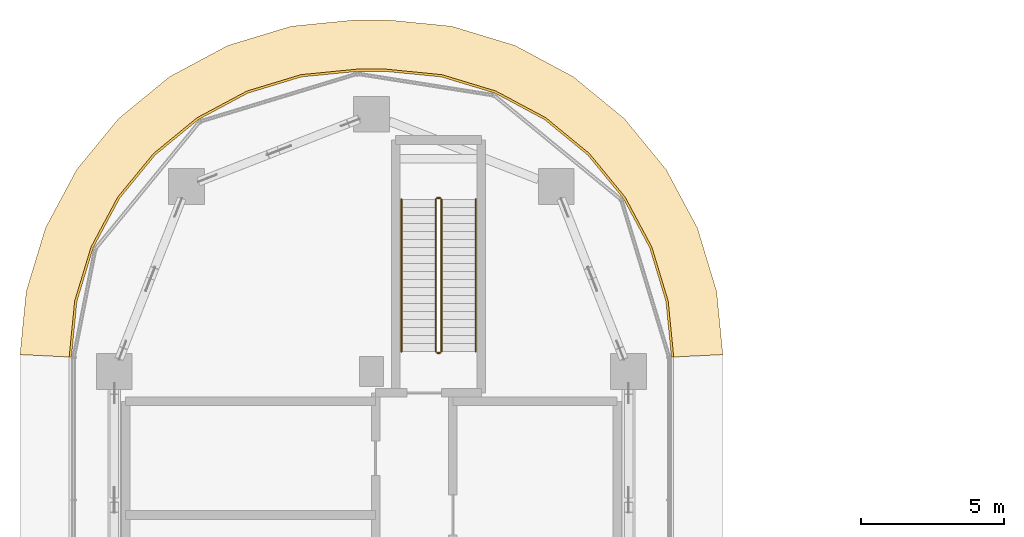
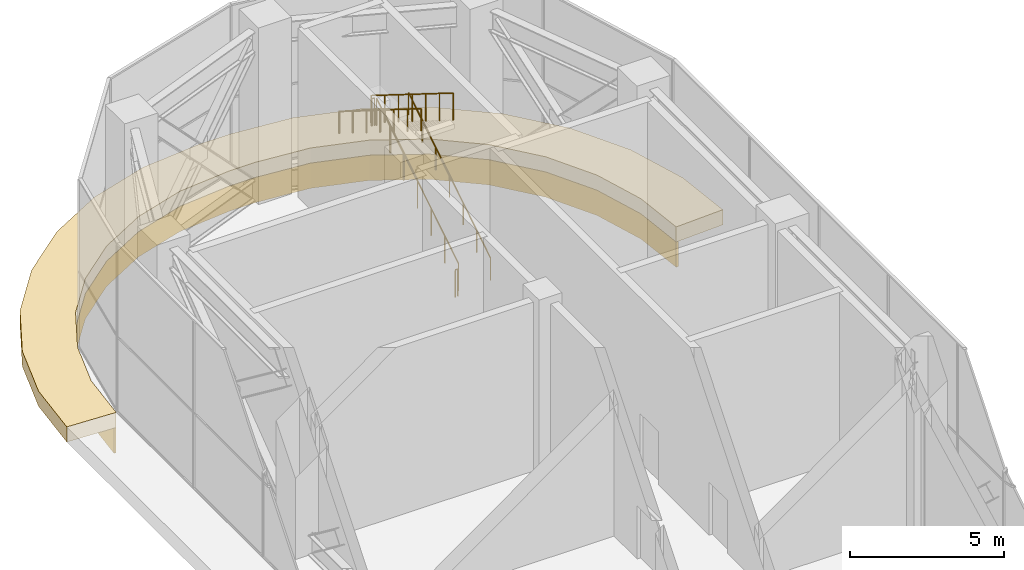
# One storey, part 33 of 35: 6 railings, 2 coverings.
"""IFC4 building model written with IfcOpenShell, lengths in metres."""

import ifcopenshell
import ifcopenshell.guid

model = None  # the IFC model being written
_history = None  # IfcOwnerHistory: only IFC2X3 demands one
_inside = {}  # id of a spatial element -> (the spatial element, [elements in it])
_under = {}  # id of a project, library or spatial element -> (it, [spatial elements below it])
_declared = {}  # id of a project -> (the project, [libraries it declares])
_typed = {}  # id of a type object -> (the type object, [elements of that type])
_made_of = {}  # id of a material, layer set ... -> (it, [elements and type objects made of it])


def new_model(schema):
    """Start an empty IFC model of exactly this schema.

    Asked for "IFC4X3", IfcOpenShell would pick the latest addendum, in which some entities
    have other attributes; the version numbers below select the first issue.
    IFC2X3 requires an IfcOwnerHistory on every rooted entity: one is made here for all.
    """
    global model, _history
    if schema == "IFC4X3":
        model = ifcopenshell.file(schema_version=(4, 3, 0, 0))
    else:
        model = ifcopenshell.file(schema=schema)
    _inside.clear()
    _under.clear()
    _declared.clear()
    _typed.clear()
    _made_of.clear()
    _history = None
    if model.schema == "IFC2X3":
        org = make("IfcOrganization", Name="unknown")
        user = make(
            "IfcPersonAndOrganization",
            ThePerson=make("IfcPerson", FamilyName="unknown"),
            TheOrganization=org,
        )
        app = make(
            "IfcApplication",
            ApplicationDeveloper=org,
            Version="unknown",
            ApplicationFullName="unknown",
            ApplicationIdentifier="unknown",
        )
        _history = make(
            "IfcOwnerHistory",
            OwningUser=user,
            OwningApplication=app,
            ChangeAction="ADDED",
            CreationDate=0,
        )
    return model


def make(cls, **values):
    """One entity of the class cls with the attributes given. An attribute that is None is left unset."""
    return model.create_entity(
        cls, **{name: value for name, value in values.items() if value is not None}
    )


def rooted(cls, **values):
    """An entity with a GlobalId (a new one), such as an element, a storey or a relation."""
    return make(cls, GlobalId=ifcopenshell.guid.new(), OwnerHistory=_history, **values)


def si_unit(unit_type, name, prefix=None):
    """IfcSIUnit, for example si_unit("LENGTHUNIT", "METRE", prefix="MILLI")."""
    return make("IfcSIUnit", UnitType=unit_type, Prefix=prefix, Name=name)


def assignment(units):
    """IfcUnitAssignment: the units of a project."""
    return None if units is None else make("IfcUnitAssignment", Units=units)


def point(xyz):
    """IfcCartesianPoint."""
    return None if xyz is None else make("IfcCartesianPoint", Coordinates=xyz)


def direction(xyz):
    """IfcDirection."""
    return None if xyz is None else make("IfcDirection", DirectionRatios=xyz)


def frame(location, z_axis=None, x_axis=None):
    """IfcAxis2Placement3D, a coordinate frame: its origin and axes. An axis left out is left unset."""
    return make(
        "IfcAxis2Placement3D",
        Location=point(location),
        Axis=direction(z_axis),
        RefDirection=direction(x_axis),
    )


def frame_2d(location, x_axis=None):
    """IfcAxis2Placement2D, a coordinate frame in the plane: its origin and x axis."""
    return make(
        "IfcAxis2Placement2D", Location=point(location), RefDirection=direction(x_axis)
    )


def origin():
    """The frame at (0, 0, 0) with its axes left unset."""
    return frame((0.0, 0.0, 0.0))


def origin_2d():
    """The frame at (0, 0) in the plane with its x axis left unset."""
    return frame_2d((0.0, 0.0))


def place(relative_to, where):
    """IfcLocalPlacement: puts the frame where relative to a parent placement (None: the world)."""
    return make(
        "IfcLocalPlacement", PlacementRelTo=relative_to, RelativePlacement=where
    )


def context(
    kind, dimensions, precision=None, world=None, true_north=None, identifier=None
):
    """IfcGeometricRepresentationContext, for example the 3D "Model" context."""
    return make(
        "IfcGeometricRepresentationContext",
        ContextIdentifier=identifier,
        ContextType=kind,
        CoordinateSpaceDimension=dimensions,
        Precision=precision,
        WorldCoordinateSystem=world,
        TrueNorth=true_north,
    )


def subcontext(parent, identifier, kind, view, scale=None):
    """IfcGeometricRepresentationSubContext, for example "Body" below "Model"."""
    return make(
        "IfcGeometricRepresentationSubContext",
        ContextIdentifier=identifier,
        ContextType=kind,
        ParentContext=parent,
        TargetScale=scale,
        TargetView=view,
    )


def project(units=None, contexts=None):
    """IfcProject with its units and contexts."""
    return rooted(
        "IfcProject",
        Name="project",
        RepresentationContexts=contexts,
        UnitsInContext=assignment(units),
    )


def spatial(cls, under=None, at=None, **own):
    """A site, building, storey or space (cls), placed at a placement, below another one or the project."""
    s = rooted(cls, ObjectPlacement=at, **own)
    if under is not None:
        _under.setdefault(under.id(), (under, []))[1].append(s)
    return s


def polyline(points):
    """IfcPolyline through the points."""
    return make("IfcPolyline", Points=[point(p) for p in points])


def profile(cls, at=None, kind="AREA", **sizes):
    """A parametric profile (cls). Its sizes go by their IFC names, for example OverallWidth=200.0."""
    return make(cls, ProfileType=kind, Position=at, **sizes)


def circle(**sizes):
    """IfcCircleProfileDef."""
    return profile("IfcCircleProfileDef", **sizes)


def outline(outer, holes=None, kind="AREA"):
    """IfcArbitraryClosedProfileDef: a profile drawn as a closed curve; with holes, ...WithVoids."""
    if holes is None:
        return make("IfcArbitraryClosedProfileDef", ProfileType=kind, OuterCurve=outer)
    return make(
        "IfcArbitraryProfileDefWithVoids",
        ProfileType=kind,
        OuterCurve=outer,
        InnerCurves=holes,
    )


def extrude(swept, where, along, depth):
    """IfcExtrudedAreaSolid: the profile swept, set in the frame where, extruded along a direction by depth."""
    return make(
        "IfcExtrudedAreaSolid",
        SweptArea=swept,
        Position=where,
        ExtrudedDirection=direction(along),
        Depth=depth,
    )


def shape(context_of_items, identifier, shape_type, items):
    """IfcShapeRepresentation: the items that make up one representation, for example the "Body"."""
    return make(
        "IfcShapeRepresentation",
        ContextOfItems=context_of_items,
        RepresentationIdentifier=identifier,
        RepresentationType=shape_type,
        Items=items,
    )


def material(Name=None, Category=None):
    """IfcMaterial."""
    return make("IfcMaterial", Name=Name, Category=Category)


def layer(
    of_material, thickness, ventilated=None, Name=None, Category=None, Priority=None
):
    """IfcMaterialLayer: one layer of a wall or slab, of a material (None: an air gap)."""
    return make(
        "IfcMaterialLayer",
        Material=of_material,
        LayerThickness=thickness,
        IsVentilated=ventilated,
        Name=Name,
        Category=Category,
        Priority=Priority,
    )


def layer_set(layers, Name=None):
    """IfcMaterialLayerSet."""
    return make("IfcMaterialLayerSet", MaterialLayers=layers, LayerSetName=Name)


def made_of(thing, what):
    """Note that an element or type object is made of a material, layer set ...; save() writes the relation."""
    if what is not None:
        _made_of.setdefault(what.id(), (what, []))[1].append(thing)
    return thing


def type_object(cls, material=None, **own):
    """A type object (cls), such as IfcWallType, which elements share."""
    return made_of(rooted(cls, **own), material)


def element(
    cls,
    number,
    at=None,
    inside=None,
    cuts=None,
    type_object=None,
    material=None,
    context=None,
    identifier="Body",
    shape_type=None,
    held_by="IfcProductDefinitionShape",
    body=None,
    shapes=None,
    **own,
):
    """One element of the class cls, such as IfcWall. Its Tag is "e" and its number.

    at: its placement. inside: the storey or other place that contains it. cuts: it is an
    opening in that element (IfcRelVoidsElement). A single representation is given by context,
    identifier, shape_type and body (its items); several are given by shapes. held_by: the class
    of the entity that holds the representations. save() writes the other relations.
    """
    e = rooted(cls, Tag="e%d" % number, ObjectPlacement=at, **own)
    if body is not None:
        shapes = [shape(context, identifier, shape_type, body)]
    if shapes is not None:
        e.Representation = make(held_by, Representations=shapes)
    if inside is not None:
        _inside.setdefault(inside.id(), (inside, []))[1].append(e)
    if cuts is not None:
        rooted(
            "IfcRelVoidsElement", RelatingBuildingElement=cuts, RelatedOpeningElement=e
        )
    if type_object is not None:
        _typed.setdefault(type_object.id(), (type_object, []))[1].append(e)
    return made_of(e, material)


def aggregate(whole, parts):
    """IfcRelAggregates: a whole, such as a stair, and the parts it consists of."""
    return rooted("IfcRelAggregates", RelatingObject=whole, RelatedObjects=parts)


def save(model, path):
    """Write the relations noted so far, then the file.

    IfcRelAggregates (storeys below a building ...), IfcRelContainedInSpatialStructure (elements
    in a storey), IfcRelDefinesByType, IfcRelAssociatesMaterial and IfcRelDeclares: one each for
    every whole, place, type object, material and project.
    """
    for whole, parts in _under.values():
        aggregate(whole, parts)
    for where, things in _inside.values():
        rooted(
            "IfcRelContainedInSpatialStructure",
            RelatedElements=things,
            RelatingStructure=where,
        )
    for kind, things in _typed.values():
        rooted("IfcRelDefinesByType", RelatedObjects=things, RelatingType=kind)
    for what, things in _made_of.values():
        rooted("IfcRelAssociatesMaterial", RelatedObjects=things, RelatingMaterial=what)
    for by, libraries in _declared.values():
        rooted("IfcRelDeclares", RelatingContext=by, RelatedDefinitions=libraries)
    model.write(path)


model = new_model("IFC4")

# Units and contexts
model_context = context("Model", 3, precision=1e-05, world=origin(), true_north=direction((0.0, 1.0)))
body_context = subcontext(model_context, "Body", "Model", "MODEL_VIEW")
ifc_project = project(units=[si_unit("LENGTHUNIT", "METRE"), si_unit("AREAUNIT", "SQUARE_METRE"), si_unit("VOLUMEUNIT", "CUBIC_METRE"), si_unit("PLANEANGLEUNIT", "RADIAN"), si_unit("MASSUNIT", "GRAM", prefix="KILO")], contexts=[model_context])

# Site, building, storey
site_placement = place(None, origin())
site = spatial("IfcSite", under=ifc_project, at=site_placement, CompositionType="ELEMENT")
building_placement = place(site_placement, origin())
building = spatial("IfcBuilding", under=site, at=building_placement, Name="Ogive Portal Towers", CompositionType="ELEMENT")
storey_placement = place(building_placement, frame((0.0, 0.0, 135.199951171875)))
storey = spatial("IfcBuildingStorey", under=building, at=storey_placement, Name="L33", CompositionType="ELEMENT", Elevation=135.199951171875)

# Railings
ifc_material_1 = material(Name="Stainless steel balustrade", Category="steel")
railing_type_1 = type_object("IfcRailingType", Name="INT-GUARD", PredefinedType="GUARDRAIL", material=ifc_material_1)
railing_1_placement = place(storey_placement, frame((42.949951171875, 67.199951171875, 0.175048828125)))
element("IfcRailing", 1, at=railing_1_placement, inside=storey, type_object=railing_type_1, Name="L33 ST-A3 stair guard 1", PredefinedType="GUARDRAIL", context=body_context, shape_type="SweptSolid", body=[
    extrude(circle(Radius=0.02392578125, at=origin_2d()), frame((0.0, 0.0, 1.076171875), z_axis=(0.0, 0.848004862711, 0.52998844593), x_axis=(-1.0, 0.0, 0.0)), (0.0, 0.0, 1.0), 6.273681640625),
    extrude(circle(Radius=0.02099609375, at=origin_2d()), origin(), (0.0, 0.0, 1.0), 1.052001953125),
    extrude(circle(Radius=0.02099609375, at=origin_2d()), frame((0.0, 0.88671875, 0.55419921875)), (0.0, 0.0, 1.0), 1.052001953125),
    extrude(circle(Radius=0.02099609375, at=origin_2d()), frame((0.0, 1.7734375, 1.1083984375)), (0.0, 0.0, 1.0), 1.052001953125),
    extrude(circle(Radius=0.02099609375, at=origin_2d()), frame((0.0, 2.66015625, 1.66259765625)), (0.0, 0.0, 1.0), 1.052001953125),
    extrude(circle(Radius=0.02099609375, at=origin_2d()), frame((0.0, 3.546630859375, 2.216552734375)), (0.0, 0.0, 1.0), 1.052001953125),
    extrude(circle(Radius=0.02099609375, at=origin_2d()), frame((0.0, 4.433349609375, 2.770751953125)), (0.0, 0.0, 1.0), 1.052001953125),
    extrude(circle(Radius=0.02099609375, at=origin_2d()), frame((0.0, 5.320068359375, 3.324951171875)), (0.0, 0.0, 1.0), 1.052001953125),
])
railing_2_placement = place(storey_placement, frame((42.89990234375, 72.570068359375, 3.5)))
element("IfcRailing", 2, at=railing_2_placement, inside=storey, type_object=railing_type_1, Name="L33 ST-A3 stair guard 2", PredefinedType="GUARDRAIL", context=body_context, shape_type="SweptSolid", body=[
    extrude(circle(Radius=0.02392578125, at=origin_2d()), frame((0.0, 0.0, 1.076171875), z_axis=(-1.0, 0.0, 0.0), x_axis=(0.0, -1.0, 0.0)), (0.0, 0.0, 1.0), 0.099853515625),
    extrude(circle(Radius=0.02099609375, at=origin_2d()), origin(), (0.0, 0.0, 1.0), 1.052001953125),
    extrude(circle(Radius=0.02099609375, at=origin_2d()), frame((-0.099853515625, 0.0, 0.0)), (0.0, 0.0, 1.0), 1.052001953125),
])
railing_3_placement = place(storey_placement, frame((42.75, 72.52001953125, 3.675048828125)))
element("IfcRailing", 3, at=railing_3_placement, inside=storey, type_object=railing_type_1, Name="L33 ST-A3 stair guard 3", PredefinedType="GUARDRAIL", context=body_context, shape_type="SweptSolid", body=[
    extrude(circle(Radius=0.02392578125, at=origin_2d()), frame((0.0, 0.0, 1.076171875), z_axis=(0.0, -0.848004862711, 0.52998844593), x_axis=(1.0, 0.0, 0.0)), (0.0, 0.0, 1.0), 6.273681640625),
    extrude(circle(Radius=0.02099609375, at=origin_2d()), origin(), (0.0, 0.0, 1.0), 1.052001953125),
    extrude(circle(Radius=0.02099609375, at=origin_2d()), frame((0.0, -0.88671875, 0.55419921875)), (0.0, 0.0, 1.0), 1.052001953125),
    extrude(circle(Radius=0.02099609375, at=origin_2d()), frame((0.0, -1.7734375, 1.1083984375)), (0.0, 0.0, 1.0), 1.052001953125),
    extrude(circle(Radius=0.02099609375, at=origin_2d()), frame((0.0, -2.66015625, 1.66259765625)), (0.0, 0.0, 1.0), 1.052001953125),
    extrude(circle(Radius=0.02099609375, at=origin_2d()), frame((0.0, -3.546630859375, 2.216552734375)), (0.0, 0.0, 1.0), 1.052001953125),
    extrude(circle(Radius=0.02099609375, at=origin_2d()), frame((0.0, -4.433349609375, 2.770751953125)), (0.0, 0.0, 1.0), 1.052001953125),
    extrude(circle(Radius=0.02099609375, at=origin_2d()), frame((0.0, -5.320068359375, 3.324951171875)), (0.0, 0.0, 1.0), 1.052001953125),
])
railing_4_placement = place(storey_placement, frame((42.89990234375, 67.14990234375, 0.0)))
element("IfcRailing", 4, at=railing_4_placement, inside=storey, type_object=railing_type_1, Name="L33 ST-A3 stair guard 4", PredefinedType="GUARDRAIL", context=body_context, shape_type="SweptSolid", body=[
    extrude(circle(Radius=0.02392578125, at=origin_2d()), frame((0.0, 0.0, 1.076171875), z_axis=(-1.0, 0.0, 0.0), x_axis=(0.0, -1.0, 0.0)), (0.0, 0.0, 1.0), 0.099853515625),
    extrude(circle(Radius=0.02099609375, at=origin_2d()), origin(), (0.0, 0.0, 1.0), 1.052001953125),
    extrude(circle(Radius=0.02099609375, at=origin_2d()), frame((-0.099853515625, 0.0, 0.0)), (0.0, 0.0, 1.0), 1.052001953125),
])
ifc_material_2 = material(Name="Stainless steel handrail", Category="steel")
railing_type_2 = type_object("IfcRailingType", Name="INT-HANDRAIL", PredefinedType="HANDRAIL", material=ifc_material_2)
railing_5_placement = place(storey_placement, frame((44.14990234375, 67.199951171875, 0.175048828125)))
element("IfcRailing", 5, at=railing_5_placement, inside=storey, type_object=railing_type_2, Name="L33 ST-A3 stair handrail 1", PredefinedType="HANDRAIL", context=body_context, shape_type="SweptSolid", body=[
    extrude(circle(Radius=0.02392578125, at=origin_2d()), frame((0.0, 0.0, 0.8759765625), z_axis=(0.0, 0.848004862711, 0.52998844593), x_axis=(-1.0, 0.0, 0.0)), (0.0, 0.0, 1.0), 6.273681640625),
    extrude(circle(Radius=0.02099609375, at=origin_2d()), origin(), (0.0, 0.0, 1.0), 0.851806640625),
    extrude(circle(Radius=0.02099609375, at=origin_2d()), frame((0.0, 0.88671875, 0.55419921875)), (0.0, 0.0, 1.0), 0.851806640625),
    extrude(circle(Radius=0.02099609375, at=origin_2d()), frame((0.0, 1.7734375, 1.1083984375)), (0.0, 0.0, 1.0), 0.851806640625),
    extrude(circle(Radius=0.02099609375, at=origin_2d()), frame((0.0, 2.66015625, 1.66259765625)), (0.0, 0.0, 1.0), 0.851806640625),
    extrude(circle(Radius=0.02099609375, at=origin_2d()), frame((0.0, 3.546630859375, 2.216552734375)), (0.0, 0.0, 1.0), 0.851806640625),
    extrude(circle(Radius=0.02099609375, at=origin_2d()), frame((0.0, 4.433349609375, 2.770751953125)), (0.0, 0.0, 1.0), 0.851806640625),
    extrude(circle(Radius=0.02099609375, at=origin_2d()), frame((0.0, 5.320068359375, 3.324951171875)), (0.0, 0.0, 1.0), 0.851806640625),
])
railing_6_placement = place(storey_placement, frame((41.550048828125, 72.52001953125, 3.675048828125)))
element("IfcRailing", 6, at=railing_6_placement, inside=storey, type_object=railing_type_2, Name="L33 ST-A3 stair handrail 2", PredefinedType="HANDRAIL", context=body_context, shape_type="SweptSolid", body=[
    extrude(circle(Radius=0.02392578125, at=origin_2d()), frame((0.0, 0.0, 0.8759765625), z_axis=(0.0, -0.848004862711, 0.52998844593), x_axis=(1.0, 0.0, 0.0)), (0.0, 0.0, 1.0), 6.273681640625),
    extrude(circle(Radius=0.02099609375, at=origin_2d()), origin(), (0.0, 0.0, 1.0), 0.851806640625),
    extrude(circle(Radius=0.02099609375, at=origin_2d()), frame((0.0, -0.88671875, 0.55419921875)), (0.0, 0.0, 1.0), 0.851806640625),
    extrude(circle(Radius=0.02099609375, at=origin_2d()), frame((0.0, -1.7734375, 1.1083984375)), (0.0, 0.0, 1.0), 0.851806640625),
    extrude(circle(Radius=0.02099609375, at=origin_2d()), frame((0.0, -2.66015625, 1.66259765625)), (0.0, 0.0, 1.0), 0.851806640625),
    extrude(circle(Radius=0.02099609375, at=origin_2d()), frame((0.0, -3.546630859375, 2.216552734375)), (0.0, 0.0, 1.0), 0.851806640625),
    extrude(circle(Radius=0.02099609375, at=origin_2d()), frame((0.0, -4.433349609375, 2.770751953125)), (0.0, 0.0, 1.0), 0.851806640625),
    extrude(circle(Radius=0.02099609375, at=origin_2d()), frame((0.0, -5.320068359375, 3.324951171875)), (0.0, 0.0, 1.0), 0.851806640625),
])

# Coverings
ifc_material_3 = material(Name="Limestone cladding on lightweight block wall", Category="masonry")
ifc_layer_1 = layer(ifc_material_3, 0.080078125)
ifc_layer_set_1 = layer_set([ifc_layer_1], Name="STONE SPANDREL 80")
covering_type_1 = type_object("IfcCoveringType", Name="STONE SPANDREL 80", PredefinedType="CLADDING", material=ifc_layer_set_1)
covering_1_placement = place(storey_placement, frame((0.0, 0.0, -1.599853515625)))
element("IfcCovering", 7, at=covering_1_placement, inside=storey, type_object=covering_type_1, Name="Stone spandrel A1-F12", PredefinedType="CLADDING", context=body_context, shape_type="SweptSolid", body=[
    extrude(outline(polyline([(51.0, 67.0), (50.807861328125, 68.950927734375), (50.23876953125, 70.826904296875), (49.314697265625, 72.5556640625), (48.071044921875, 74.071044921875), (46.5556640625, 75.314697265625), (44.826904296875, 76.23876953125), (42.950927734375, 76.807861328125), (41.0, 77.0), (40.0, 77.0), (38.049072265625, 76.807861328125), (36.173095703125, 76.23876953125), (34.4443359375, 75.314697265625), (32.928955078125, 74.071044921875), (31.685302734375, 72.5556640625), (30.76123046875, 70.826904296875), (30.192138671875, 68.950927734375), (30.0, 67.0), (29.919921875, 67.00390625), (30.11328125, 68.966552734375), (30.68701171875, 70.857666015625), (31.618408203125, 72.600341796875), (32.8720703125, 74.1279296875), (34.399658203125, 75.381591796875), (36.142333984375, 76.31298828125), (38.033447265625, 76.88671875), (39.99609375, 77.080078125), (41.00390625, 77.080078125), (42.966552734375, 76.88671875), (44.857666015625, 76.31298828125), (46.600341796875, 75.381591796875), (48.1279296875, 74.1279296875), (49.381591796875, 72.600341796875), (50.31298828125, 70.857666015625), (50.88671875, 68.966552734375), (51.080078125, 67.00390625), (51.0, 67.0)])), origin(), (0.0, 0.0, 1.0), 1.0),
])
ifc_layer_2 = layer(ifc_material_3, 0.60009765625)
ifc_layer_set_2 = layer_set([ifc_layer_2], Name="SUNSHADE LIP 600")
covering_type_2 = type_object("IfcCoveringType", Name="SUNSHADE LIP 600", PredefinedType="CLADDING", material=ifc_layer_set_2)
covering_2_placement = place(storey_placement, frame((0.0, 0.0, -0.599853515625)))
element("IfcCovering", 8, at=covering_2_placement, inside=storey, type_object=covering_type_2, Name="Sunshade lip A1-F12", PredefinedType="CLADDING", context=body_context, shape_type="SweptSolid", body=[
    extrude(outline(polyline([(51.0, 67.0), (50.807861328125, 68.950927734375), (50.23876953125, 70.826904296875), (49.314697265625, 72.5556640625), (48.071044921875, 74.071044921875), (46.5556640625, 75.314697265625), (44.826904296875, 76.23876953125), (42.950927734375, 76.807861328125), (41.0, 77.0), (40.0, 77.0), (38.049072265625, 76.807861328125), (36.173095703125, 76.23876953125), (34.4443359375, 75.314697265625), (32.928955078125, 74.071044921875), (31.685302734375, 72.5556640625), (30.76123046875, 70.826904296875), (30.192138671875, 68.950927734375), (30.0, 67.0), (28.199951171875, 67.08837890625), (28.418212890625, 69.3037109375), (29.090087890625, 71.51904296875), (30.181396484375, 73.560546875), (31.64990234375, 75.35009765625), (33.439453125, 76.818603515625), (35.48095703125, 77.909912109375), (37.6962890625, 78.581787109375), (39.91162109375, 78.800048828125), (41.08837890625, 78.800048828125), (43.3037109375, 78.581787109375), (45.51904296875, 77.909912109375), (47.560546875, 76.818603515625), (49.35009765625, 75.35009765625), (50.818603515625, 73.560546875), (51.909912109375, 71.51904296875), (52.581787109375, 69.3037109375), (52.800048828125, 67.08837890625), (51.0, 67.0)])), origin(), (0.0, 0.0, 1.0), 0.599853515625),
])

save(model, "model.ifc")
